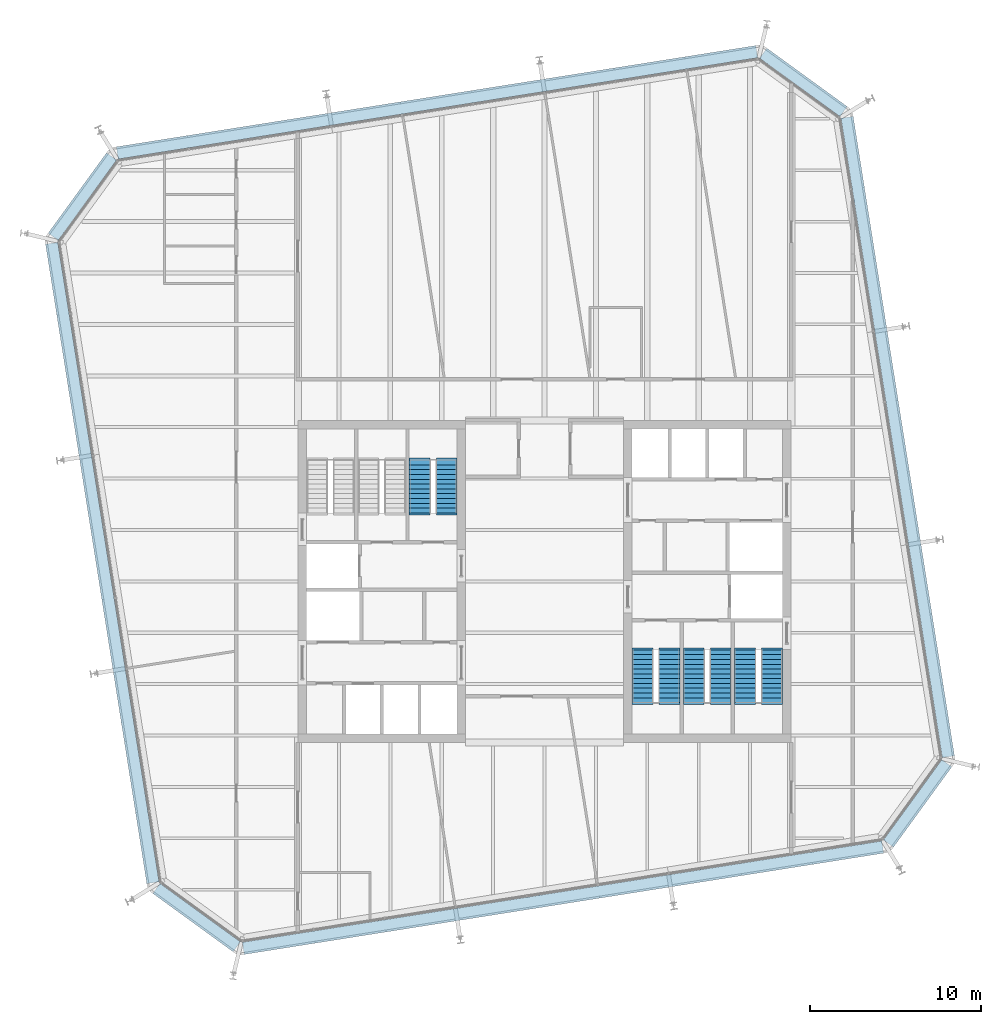
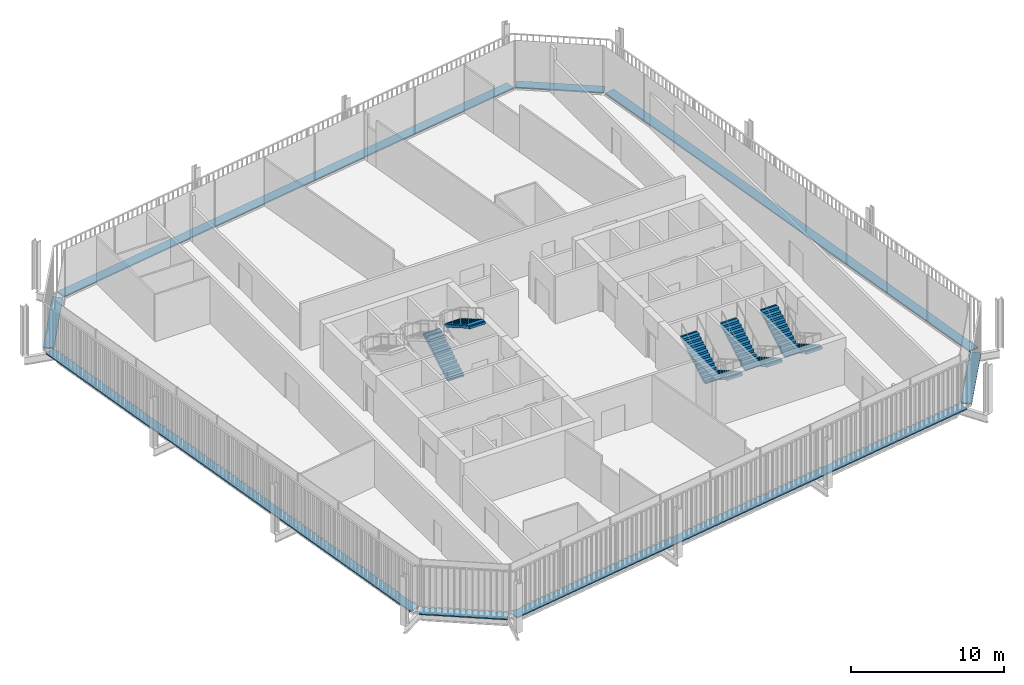
# One storey, part 19 of 20: 8 discrete accessories, 8 stair flights, 4 elements without a shape of their own.
"""IFC4 building model written with IfcOpenShell, lengths in metres."""

from ifc_helpers import new_model, si_unit, direction, frame, origin, origin_2d, place, context, subcontext, project, spatial, polyline, rectangle, outline, extrude, material, type_object, element, aggregate, save


model = new_model("IFC4")

# Units and contexts
model_context = context("Model", 3, precision=1e-05, world=origin(), true_north=direction((0.0, 1.0)))
body_context = subcontext(model_context, "Body", "Model", "MODEL_VIEW")
ifc_project = project(units=[si_unit("LENGTHUNIT", "METRE"), si_unit("AREAUNIT", "SQUARE_METRE"), si_unit("VOLUMEUNIT", "CUBIC_METRE"), si_unit("PLANEANGLEUNIT", "RADIAN"), si_unit("MASSUNIT", "GRAM", prefix="KILO")], contexts=[model_context])

# Site, building, storey
site_placement = place(None, origin())
site = spatial("IfcSite", under=ifc_project, at=site_placement, CompositionType="ELEMENT")
building_placement = place(site_placement, origin())
building = spatial("IfcBuilding", under=site, at=building_placement, Name="Millrace Tower", CompositionType="ELEMENT")
storey_placement = place(building_placement, frame((0.0, 0.0, 251.300048828125)))
storey = spatial("IfcBuildingStorey", under=building, at=storey_placement, Name="L57", CompositionType="ELEMENT", Elevation=251.300048828125)

# Stair, stair flights
ifc_material_1 = material(Name="Concrete C35", Category="concrete")
stair_type = type_object("IfcStairType", Name="Exit stair", PredefinedType="HALF_TURN_STAIR", material=ifc_material_1)
placement = place(storey_placement, origin())
stair_1 = element("IfcStair", 1, at=placement, inside=storey, type_object=stair_type, Name="Stair 3 W L57", PredefinedType="HALF_TURN_STAIR")
ifc_material_2 = material(Name="Concrete C35", Category="concrete")
stair_flight_type = type_object("IfcStairFlightType", Name="Exit stair flight", PredefinedType="STRAIGHT", material=ifc_material_2)
stair_flight_1_placement = place(storey_placement, frame((-7.2900390625, 4.0, 0.0), z_axis=(0.0, 0.0, 1.0), x_axis=(0.0, 1.0, 0.0)))
stair_flight_1 = element("IfcStairFlight", 2, at=stair_flight_1_placement, type_object=stair_flight_type, Name="ST12 flight 1", NumberOfRisers=12, NumberOfTreads=11, PredefinedType="STRAIGHT", RiserHeight=0.1625, TreadLength=0.28, context=body_context, shape_type="SweptSolid", body=[
    extrude(outline(polyline([(-0.1201171875, -0.0400390625), (-0.1201171875, 0.0), (0.0, 0.0), (0.0, 0.16259765625), (0.280029296875, 0.16259765625), (0.280029296875, 0.324951171875), (0.56005859375, 0.324951171875), (0.56005859375, 0.487548828125), (0.840087890625, 0.487548828125), (0.840087890625, 0.64990234375), (1.1201171875, 0.64990234375), (1.1201171875, 0.8125), (1.39990234375, 0.8125), (1.39990234375, 0.97509765625), (1.679931640625, 0.97509765625), (1.679931640625, 1.137451171875), (1.9599609375, 1.137451171875), (1.9599609375, 1.300048828125), (2.239990234375, 1.300048828125), (2.239990234375, 1.46240234375), (2.52001953125, 1.46240234375), (2.52001953125, 1.625), (2.800048828125, 1.625), (2.800048828125, 1.78759765625), (3.080078125, 1.78759765625), (3.080078125, 1.8076171875), (3.199951171875, 1.8076171875), (3.199951171875, 1.6142578125), (3.080078125, 1.6142578125), (0.298583984375, 0.0), (0.298583984375, -0.0400390625), (-0.1201171875, -0.0400390625)])), frame((0.0, 0.60986328125, 0.0), z_axis=(0.0, -1.0, 0.0), x_axis=(1.0, 0.0, 0.0)), (0.0, 0.0, 1.0), 1.219970703125),
])
stair_flight_2_placement = place(storey_placement, frame((-5.7099609375, 7.080078125, 1.949951171875), z_axis=(0.0, 0.0, 1.0), x_axis=(0.0, -1.0, 0.0)))
stair_flight_2 = element("IfcStairFlight", 3, at=stair_flight_2_placement, type_object=stair_flight_type, Name="ST12 flight 2", NumberOfRisers=12, NumberOfTreads=11, PredefinedType="STRAIGHT", RiserHeight=0.1625, TreadLength=0.28, context=body_context, shape_type="SweptSolid", body=[
    extrude(outline(polyline([(-0.1201171875, -0.0400390625), (-0.1201171875, 0.0), (0.0, 0.0), (0.0, 0.16259765625), (0.280029296875, 0.16259765625), (0.280029296875, 0.324951171875), (0.56005859375, 0.324951171875), (0.56005859375, 0.487548828125), (0.840087890625, 0.487548828125), (0.840087890625, 0.64990234375), (1.1201171875, 0.64990234375), (1.1201171875, 0.8125), (1.39990234375, 0.8125), (1.39990234375, 0.97509765625), (1.679931640625, 0.97509765625), (1.679931640625, 1.137451171875), (1.9599609375, 1.137451171875), (1.9599609375, 1.300048828125), (2.239990234375, 1.300048828125), (2.239990234375, 1.46240234375), (2.52001953125, 1.46240234375), (2.52001953125, 1.625), (2.800048828125, 1.625), (2.800048828125, 1.78759765625), (3.080078125, 1.78759765625), (3.080078125, 1.8076171875), (3.199951171875, 1.8076171875), (3.199951171875, 1.6142578125), (3.080078125, 1.6142578125), (0.298583984375, 0.0), (0.298583984375, -0.0400390625), (-0.1201171875, -0.0400390625)])), frame((0.0, 0.60986328125, 0.0), z_axis=(0.0, -1.0, 0.0), x_axis=(1.0, 0.0, 0.0)), (0.0, 0.0, 1.0), 1.219970703125),
])
aggregate(stair_1, [stair_flight_1, stair_flight_2])

stair_2 = element("IfcStair", 4, at=placement, inside=storey, type_object=stair_type, Name="Stair 1 E L57", PredefinedType="HALF_TURN_STAIR")
stair_flight_3_placement = place(storey_placement, frame((13.2900390625, -4.0, 0.0), z_axis=(0.0, 0.0, 1.0), x_axis=(0.0, -1.0, 0.0)))
stair_flight_3 = element("IfcStairFlight", 5, at=stair_flight_3_placement, type_object=stair_flight_type, Name="ST12 flight 1", NumberOfRisers=12, NumberOfTreads=11, PredefinedType="STRAIGHT", RiserHeight=0.1625, TreadLength=0.28, context=body_context, shape_type="SweptSolid", body=[
    extrude(outline(polyline([(-0.1201171875, -0.0400390625), (-0.1201171875, 0.0), (0.0, 0.0), (0.0, 0.16259765625), (0.280029296875, 0.16259765625), (0.280029296875, 0.324951171875), (0.56005859375, 0.324951171875), (0.56005859375, 0.487548828125), (0.840087890625, 0.487548828125), (0.840087890625, 0.64990234375), (1.1201171875, 0.64990234375), (1.1201171875, 0.8125), (1.39990234375, 0.8125), (1.39990234375, 0.97509765625), (1.679931640625, 0.97509765625), (1.679931640625, 1.137451171875), (1.9599609375, 1.137451171875), (1.9599609375, 1.300048828125), (2.239990234375, 1.300048828125), (2.239990234375, 1.46240234375), (2.52001953125, 1.46240234375), (2.52001953125, 1.625), (2.800048828125, 1.625), (2.800048828125, 1.78759765625), (3.080078125, 1.78759765625), (3.080078125, 1.8076171875), (3.199951171875, 1.8076171875), (3.199951171875, 1.6142578125), (3.080078125, 1.6142578125), (0.298583984375, 0.0), (0.298583984375, -0.0400390625), (-0.1201171875, -0.0400390625)])), frame((0.0, 0.60986328125, 0.0), z_axis=(0.0, -1.0, 0.0), x_axis=(1.0, 0.0, 0.0)), (0.0, 0.0, 1.0), 1.219970703125),
])
stair_flight_4_placement = place(storey_placement, frame((11.7099609375, -7.080078125, 1.949951171875), z_axis=(0.0, 0.0, 1.0), x_axis=(0.0, 1.0, 0.0)))
stair_flight_4 = element("IfcStairFlight", 6, at=stair_flight_4_placement, type_object=stair_flight_type, Name="ST12 flight 2", NumberOfRisers=12, NumberOfTreads=11, PredefinedType="STRAIGHT", RiserHeight=0.1625, TreadLength=0.28, context=body_context, shape_type="SweptSolid", body=[
    extrude(outline(polyline([(-0.1201171875, -0.0400390625), (-0.1201171875, 0.0), (0.0, 0.0), (0.0, 0.16259765625), (0.280029296875, 0.16259765625), (0.280029296875, 0.324951171875), (0.56005859375, 0.324951171875), (0.56005859375, 0.487548828125), (0.840087890625, 0.487548828125), (0.840087890625, 0.64990234375), (1.1201171875, 0.64990234375), (1.1201171875, 0.8125), (1.39990234375, 0.8125), (1.39990234375, 0.97509765625), (1.679931640625, 0.97509765625), (1.679931640625, 1.137451171875), (1.9599609375, 1.137451171875), (1.9599609375, 1.300048828125), (2.239990234375, 1.300048828125), (2.239990234375, 1.46240234375), (2.52001953125, 1.46240234375), (2.52001953125, 1.625), (2.800048828125, 1.625), (2.800048828125, 1.78759765625), (3.080078125, 1.78759765625), (3.080078125, 1.8076171875), (3.199951171875, 1.8076171875), (3.199951171875, 1.6142578125), (3.080078125, 1.6142578125), (0.298583984375, 0.0), (0.298583984375, -0.0400390625), (-0.1201171875, -0.0400390625)])), frame((0.0, 0.60986328125, 0.0), z_axis=(0.0, -1.0, 0.0), x_axis=(1.0, 0.0, 0.0)), (0.0, 0.0, 1.0), 1.219970703125),
])
aggregate(stair_2, [stair_flight_3, stair_flight_4])

stair_3 = element("IfcStair", 7, at=placement, inside=storey, type_object=stair_type, Name="Stair 2 E L57", PredefinedType="HALF_TURN_STAIR")
stair_flight_5_placement = place(storey_placement, frame((10.2900390625, -4.0, 0.0), z_axis=(0.0, 0.0, 1.0), x_axis=(0.0, -1.0, 0.0)))
stair_flight_5 = element("IfcStairFlight", 8, at=stair_flight_5_placement, type_object=stair_flight_type, Name="ST12 flight 1", NumberOfRisers=12, NumberOfTreads=11, PredefinedType="STRAIGHT", RiserHeight=0.1625, TreadLength=0.28, context=body_context, shape_type="SweptSolid", body=[
    extrude(outline(polyline([(-0.1201171875, -0.0400390625), (-0.1201171875, 0.0), (0.0, 0.0), (0.0, 0.16259765625), (0.280029296875, 0.16259765625), (0.280029296875, 0.324951171875), (0.56005859375, 0.324951171875), (0.56005859375, 0.487548828125), (0.840087890625, 0.487548828125), (0.840087890625, 0.64990234375), (1.1201171875, 0.64990234375), (1.1201171875, 0.8125), (1.39990234375, 0.8125), (1.39990234375, 0.97509765625), (1.679931640625, 0.97509765625), (1.679931640625, 1.137451171875), (1.9599609375, 1.137451171875), (1.9599609375, 1.300048828125), (2.239990234375, 1.300048828125), (2.239990234375, 1.46240234375), (2.52001953125, 1.46240234375), (2.52001953125, 1.625), (2.800048828125, 1.625), (2.800048828125, 1.78759765625), (3.080078125, 1.78759765625), (3.080078125, 1.8076171875), (3.199951171875, 1.8076171875), (3.199951171875, 1.6142578125), (3.080078125, 1.6142578125), (0.298583984375, 0.0), (0.298583984375, -0.0400390625), (-0.1201171875, -0.0400390625)])), frame((0.0, 0.60986328125, 0.0), z_axis=(0.0, -1.0, 0.0), x_axis=(1.0, 0.0, 0.0)), (0.0, 0.0, 1.0), 1.219970703125),
])
stair_flight_6_placement = place(storey_placement, frame((8.7099609375, -7.080078125, 1.949951171875), z_axis=(0.0, 0.0, 1.0), x_axis=(0.0, 1.0, 0.0)))
stair_flight_6 = element("IfcStairFlight", 9, at=stair_flight_6_placement, type_object=stair_flight_type, Name="ST12 flight 2", NumberOfRisers=12, NumberOfTreads=11, PredefinedType="STRAIGHT", RiserHeight=0.1625, TreadLength=0.28, context=body_context, shape_type="SweptSolid", body=[
    extrude(outline(polyline([(-0.1201171875, -0.0400390625), (-0.1201171875, 0.0), (0.0, 0.0), (0.0, 0.16259765625), (0.280029296875, 0.16259765625), (0.280029296875, 0.324951171875), (0.56005859375, 0.324951171875), (0.56005859375, 0.487548828125), (0.840087890625, 0.487548828125), (0.840087890625, 0.64990234375), (1.1201171875, 0.64990234375), (1.1201171875, 0.8125), (1.39990234375, 0.8125), (1.39990234375, 0.97509765625), (1.679931640625, 0.97509765625), (1.679931640625, 1.137451171875), (1.9599609375, 1.137451171875), (1.9599609375, 1.300048828125), (2.239990234375, 1.300048828125), (2.239990234375, 1.46240234375), (2.52001953125, 1.46240234375), (2.52001953125, 1.625), (2.800048828125, 1.625), (2.800048828125, 1.78759765625), (3.080078125, 1.78759765625), (3.080078125, 1.8076171875), (3.199951171875, 1.8076171875), (3.199951171875, 1.6142578125), (3.080078125, 1.6142578125), (0.298583984375, 0.0), (0.298583984375, -0.0400390625), (-0.1201171875, -0.0400390625)])), frame((0.0, 0.60986328125, 0.0), z_axis=(0.0, -1.0, 0.0), x_axis=(1.0, 0.0, 0.0)), (0.0, 0.0, 1.0), 1.219970703125),
])
aggregate(stair_3, [stair_flight_5, stair_flight_6])

stair_4 = element("IfcStair", 10, at=placement, inside=storey, type_object=stair_type, Name="Stair 3 E L57", PredefinedType="HALF_TURN_STAIR")
stair_flight_7_placement = place(storey_placement, frame((7.2900390625, -4.0, 0.0), z_axis=(0.0, 0.0, 1.0), x_axis=(0.0, -1.0, 0.0)))
stair_flight_7 = element("IfcStairFlight", 11, at=stair_flight_7_placement, type_object=stair_flight_type, Name="ST12 flight 1", NumberOfRisers=12, NumberOfTreads=11, PredefinedType="STRAIGHT", RiserHeight=0.1625, TreadLength=0.28, context=body_context, shape_type="SweptSolid", body=[
    extrude(outline(polyline([(-0.1201171875, -0.0400390625), (-0.1201171875, 0.0), (0.0, 0.0), (0.0, 0.16259765625), (0.280029296875, 0.16259765625), (0.280029296875, 0.324951171875), (0.56005859375, 0.324951171875), (0.56005859375, 0.487548828125), (0.840087890625, 0.487548828125), (0.840087890625, 0.64990234375), (1.1201171875, 0.64990234375), (1.1201171875, 0.8125), (1.39990234375, 0.8125), (1.39990234375, 0.97509765625), (1.679931640625, 0.97509765625), (1.679931640625, 1.137451171875), (1.9599609375, 1.137451171875), (1.9599609375, 1.300048828125), (2.239990234375, 1.300048828125), (2.239990234375, 1.46240234375), (2.52001953125, 1.46240234375), (2.52001953125, 1.625), (2.800048828125, 1.625), (2.800048828125, 1.78759765625), (3.080078125, 1.78759765625), (3.080078125, 1.8076171875), (3.199951171875, 1.8076171875), (3.199951171875, 1.6142578125), (3.080078125, 1.6142578125), (0.298583984375, 0.0), (0.298583984375, -0.0400390625), (-0.1201171875, -0.0400390625)])), frame((0.0, 0.60986328125, 0.0), z_axis=(0.0, -1.0, 0.0), x_axis=(1.0, 0.0, 0.0)), (0.0, 0.0, 1.0), 1.219970703125),
])
stair_flight_8_placement = place(storey_placement, frame((5.7099609375, -7.080078125, 1.949951171875), z_axis=(0.0, 0.0, 1.0), x_axis=(0.0, 1.0, 0.0)))
stair_flight_8 = element("IfcStairFlight", 12, at=stair_flight_8_placement, type_object=stair_flight_type, Name="ST12 flight 2", NumberOfRisers=12, NumberOfTreads=11, PredefinedType="STRAIGHT", RiserHeight=0.1625, TreadLength=0.28, context=body_context, shape_type="SweptSolid", body=[
    extrude(outline(polyline([(-0.1201171875, -0.0400390625), (-0.1201171875, 0.0), (0.0, 0.0), (0.0, 0.16259765625), (0.280029296875, 0.16259765625), (0.280029296875, 0.324951171875), (0.56005859375, 0.324951171875), (0.56005859375, 0.487548828125), (0.840087890625, 0.487548828125), (0.840087890625, 0.64990234375), (1.1201171875, 0.64990234375), (1.1201171875, 0.8125), (1.39990234375, 0.8125), (1.39990234375, 0.97509765625), (1.679931640625, 0.97509765625), (1.679931640625, 1.137451171875), (1.9599609375, 1.137451171875), (1.9599609375, 1.300048828125), (2.239990234375, 1.300048828125), (2.239990234375, 1.46240234375), (2.52001953125, 1.46240234375), (2.52001953125, 1.625), (2.800048828125, 1.625), (2.800048828125, 1.78759765625), (3.080078125, 1.78759765625), (3.080078125, 1.8076171875), (3.199951171875, 1.8076171875), (3.199951171875, 1.6142578125), (3.080078125, 1.6142578125), (0.298583984375, 0.0), (0.298583984375, -0.0400390625), (-0.1201171875, -0.0400390625)])), frame((0.0, 0.60986328125, 0.0), z_axis=(0.0, -1.0, 0.0), x_axis=(1.0, 0.0, 0.0)), (0.0, 0.0, 1.0), 1.219970703125),
])
aggregate(stair_4, [stair_flight_7, stair_flight_8])

# Discrete accessories
ifc_material_3 = material(Name="Stainless steel ASTM A240 type 316", Category="steel")
discrete_accessory_type = type_object("IfcDiscreteAccessoryType", Name="Thermally broken screen support rail", PredefinedType="BRACKET", material=ifc_material_3)
discrete_accessory_1_placement = place(storey_placement, frame((-20.314453125, -19.632080078125, 0.0), z_axis=(0.0, 0.0, 1.0), x_axis=(0.809016955361, -0.587785305991, 0.0)))
element("IfcDiscreteAccessory", 13, at=discrete_accessory_1_placement, inside=storey, type_object=discrete_accessory_type, Name="Thermally broken screen support rail D-F01 L57 1", PredefinedType="BRACKET", context=body_context, shape_type="SweptSolid", body=[
    extrude(rectangle(XDim=5.79833984375, YDim=0.719970703125, at=origin_2d()), origin(), (0.0, 0.0, 1.0), 0.10009765625),
])
discrete_accessory_2_placement = place(storey_placement, frame((1.077880859375, -18.470458984375, 0.0), z_axis=(0.0, 0.0, 1.0), x_axis=(0.987688339511, 0.156434471884, 0.0)))
element("IfcDiscreteAccessory", 14, at=discrete_accessory_2_placement, inside=storey, type_object=discrete_accessory_type, Name="Thermally broken screen support rail D-F02 L57 1", PredefinedType="BRACKET", context=body_context, shape_type="SweptSolid", body=[
    extrude(rectangle(XDim=37.800048828125, YDim=0.719970703125, at=origin_2d()), origin(), (0.0, 0.0, 1.0), 0.10009765625),
])
discrete_accessory_3_placement = place(storey_placement, frame((21.781982421875, -12.964599609375, 0.0), z_axis=(0.0, 0.0, 1.0), x_axis=(0.587785305991, 0.809016955361, 0.0)))
element("IfcDiscreteAccessory", 15, at=discrete_accessory_3_placement, inside=storey, type_object=discrete_accessory_type, Name="Thermally broken screen support rail D-F03 L57 1", PredefinedType="BRACKET", context=body_context, shape_type="SweptSolid", body=[
    extrude(rectangle(XDim=5.79833984375, YDim=0.719970703125, at=origin_2d()), origin(), (0.0, 0.0, 1.0), 0.10009765625),
])
discrete_accessory_4_placement = place(storey_placement, frame((20.62060546875, 8.427734375, 0.0), z_axis=(0.0, 0.0, 1.0), x_axis=(-0.156434471884, 0.987688339511, 0.0)))
element("IfcDiscreteAccessory", 16, at=discrete_accessory_4_placement, inside=storey, type_object=discrete_accessory_type, Name="Thermally broken screen support rail D-F04 L57 1", PredefinedType="BRACKET", context=body_context, shape_type="SweptSolid", body=[
    extrude(rectangle(XDim=37.800048828125, YDim=0.719970703125, at=origin_2d()), origin(), (0.0, 0.0, 1.0), 0.10009765625),
])
discrete_accessory_5_placement = place(storey_placement, frame((15.114501953125, 29.132080078125, 0.0), z_axis=(0.0, 0.0, 1.0), x_axis=(-0.809016955361, 0.587785305991, 0.0)))
element("IfcDiscreteAccessory", 17, at=discrete_accessory_5_placement, inside=storey, type_object=discrete_accessory_type, Name="Thermally broken screen support rail D-F05 L57 1", PredefinedType="BRACKET", context=body_context, shape_type="SweptSolid", body=[
    extrude(rectangle(XDim=5.79833984375, YDim=0.719970703125, at=origin_2d()), origin(), (0.0, 0.0, 1.0), 0.10009765625),
])
discrete_accessory_6_placement = place(storey_placement, frame((-6.27783203125, 27.970458984375, 0.0), z_axis=(0.0, 0.0, 1.0), x_axis=(-0.987688339511, -0.156434471884, 0.0)))
element("IfcDiscreteAccessory", 18, at=discrete_accessory_6_placement, inside=storey, type_object=discrete_accessory_type, Name="Thermally broken screen support rail D-F06 L57 1", PredefinedType="BRACKET", context=body_context, shape_type="SweptSolid", body=[
    extrude(rectangle(XDim=37.800048828125, YDim=0.719970703125, at=origin_2d()), origin(), (0.0, 0.0, 1.0), 0.10009765625),
])
discrete_accessory_7_placement = place(storey_placement, frame((-26.98193359375, 22.464599609375, 0.0), z_axis=(0.0, 0.0, 1.0), x_axis=(-0.587785305991, -0.809016955361, 0.0)))
element("IfcDiscreteAccessory", 19, at=discrete_accessory_7_placement, inside=storey, type_object=discrete_accessory_type, Name="Thermally broken screen support rail D-F07 L57 1", PredefinedType="BRACKET", context=body_context, shape_type="SweptSolid", body=[
    extrude(rectangle(XDim=5.79833984375, YDim=0.719970703125, at=origin_2d()), origin(), (0.0, 0.0, 1.0), 0.10009765625),
])
discrete_accessory_8_placement = place(storey_placement, frame((-25.820556640625, 1.072265625, 0.0), z_axis=(0.0, 0.0, 1.0), x_axis=(0.156434471884, -0.987688339511, 0.0)))
element("IfcDiscreteAccessory", 20, at=discrete_accessory_8_placement, inside=storey, type_object=discrete_accessory_type, Name="Thermally broken screen support rail D-F08 L57 1", PredefinedType="BRACKET", context=body_context, shape_type="SweptSolid", body=[
    extrude(rectangle(XDim=37.800048828125, YDim=0.719970703125, at=origin_2d()), origin(), (0.0, 0.0, 1.0), 0.10009765625),
])

save(model, "model.ifc")
